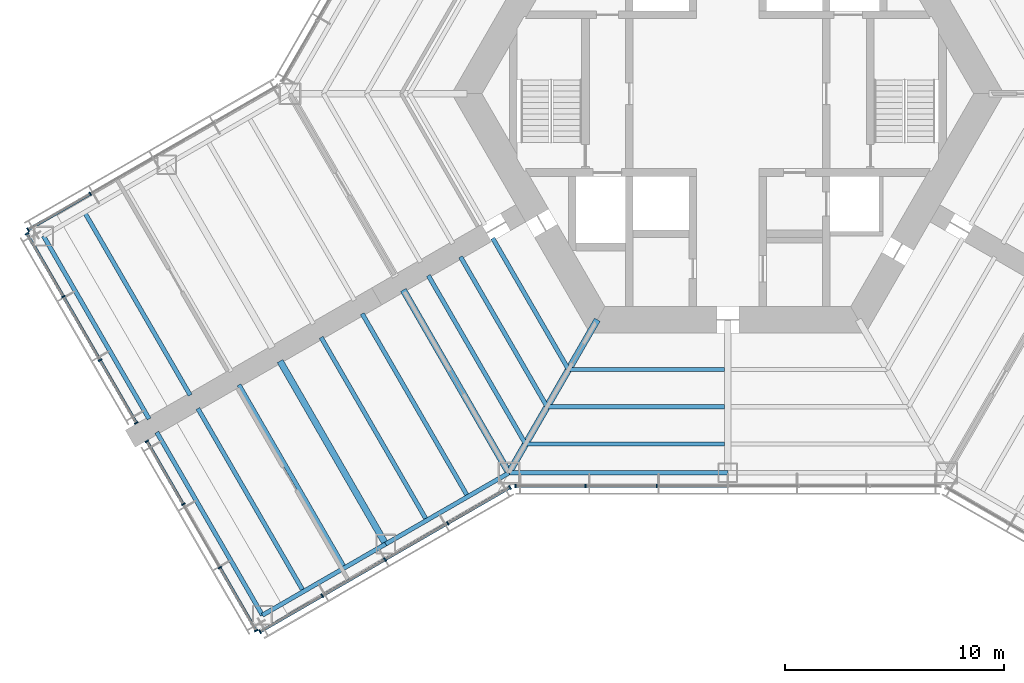
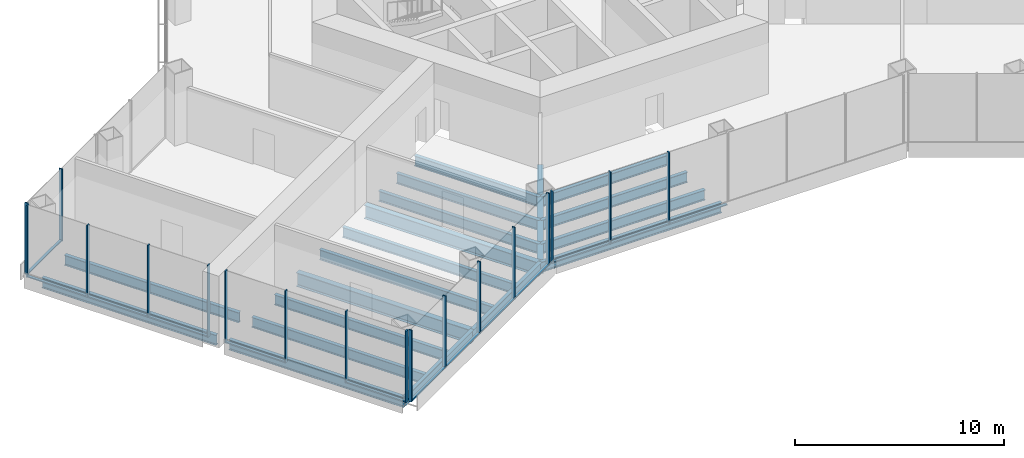
# One storey, part 2 of 16: 31 members, 19 beams, 5 elements without a shape of their own.
"""IFC4 building model written with IfcOpenShell, lengths in metres."""

from ifc_helpers import new_model, si_unit, direction, frame, origin, origin_2d, place, context, subcontext, project, spatial, rectangle, i_section, extrude, material, material_profile, profile_set, type_object, element, aggregate, save


model = new_model("IFC4")

# Units and contexts
model_context = context("Model", 3, precision=1e-05, world=origin(), true_north=direction((0.0, 1.0)))
body_context = subcontext(model_context, "Body", "Model", "MODEL_VIEW")
ifc_project = project(units=[si_unit("LENGTHUNIT", "METRE"), si_unit("AREAUNIT", "SQUARE_METRE"), si_unit("VOLUMEUNIT", "CUBIC_METRE"), si_unit("PLANEANGLEUNIT", "RADIAN"), si_unit("MASSUNIT", "GRAM", prefix="KILO")], contexts=[model_context])

# Site, building, storey
site_placement = place(None, origin())
site = spatial("IfcSite", under=ifc_project, at=site_placement, CompositionType="ELEMENT")
building_placement = place(site_placement, origin())
building = spatial("IfcBuilding", under=site, at=building_placement, Name="Kasaneha Research Tower", CompositionType="ELEMENT")
storey_placement = place(building_placement, frame((0.0, 0.0, 10.0)))
storey = spatial("IfcBuildingStorey", under=building, at=storey_placement, Name="L03", CompositionType="ELEMENT", Elevation=10.0)

# Beams
ifc_material_1 = material(Name="Steel SN490B", Category="steel")
ifc_material_profile_1 = material_profile(ifc_material_1, i_section(OverallWidth=0.199951171875, OverallDepth=0.60009765625, WebThickness=0.010986328125, FlangeThickness=0.01708984375, FilletRadius=0.012939453125, at=origin_2d()), Name="H-600x200x11x17")
ifc_profile_set_1 = profile_set([ifc_material_profile_1], Name="Steel SN490B")
beam_type_1 = type_object("IfcBeamType", Name="B1-1 secondary beam H-600x200x11x17", PredefinedType="JOIST", material=ifc_profile_set_1)
beam_1_placement = place(storey_placement, frame((-7.274658203125, -12.60009765625, -0.5), z_axis=(-0.499972710878, 0.866041158593, 0.0), x_axis=(-0.866041158593, -0.499972710878, 0.0)))
element("IfcBeam", 1, at=beam_1_placement, inside=storey, type_object=beam_type_1, Name="Secondary beam RS210R1 L03", PredefinedType="JOIST", context=body_context, shape_type="SweptSolid", body=[
    extrude(i_section(OverallWidth=0.199951171875, OverallDepth=0.60009765625, WebThickness=0.010986328125, FlangeThickness=0.01708984375, FilletRadius=0.012939453125, at=origin_2d()), origin(), (0.0, 0.0, 1.0), 6.9248046875),
])
beam_2_placement = place(storey_placement, frame((-8.256103515625, -14.300048828125, -0.5), z_axis=(-0.500004902938, 0.866022573054, 0.0), x_axis=(-0.866022573054, -0.500004902938, 0.0)))
element("IfcBeam", 2, at=beam_2_placement, inside=storey, type_object=beam_type_1, Name="Secondary beam RS210R2 L03", PredefinedType="JOIST", context=body_context, shape_type="SweptSolid", body=[
    extrude(i_section(OverallWidth=0.199951171875, OverallDepth=0.60009765625, WebThickness=0.010986328125, FlangeThickness=0.01708984375, FilletRadius=0.012939453125, at=origin_2d()), origin(), (0.0, 0.0, 1.0), 7.90625),
])
beam_3_placement = place(storey_placement, frame((-9.237548828125, -16.0, -0.5), z_axis=(-0.500009382636, 0.866019986649, 0.0), x_axis=(-0.866019986649, -0.500009382636, 0.0)))
element("IfcBeam", 3, at=beam_3_placement, inside=storey, type_object=beam_type_1, Name="Secondary beam RS210R3 L03", PredefinedType="JOIST", context=body_context, shape_type="SweptSolid", body=[
    extrude(i_section(OverallWidth=0.199951171875, OverallDepth=0.60009765625, WebThickness=0.010986328125, FlangeThickness=0.01708984375, FilletRadius=0.012939453125, at=origin_2d()), origin(), (0.0, 0.0, 1.0), 8.887451171875),
])
beam_4_placement = place(storey_placement, frame((-7.274658203125, -12.60009765625, -0.5), z_axis=(1.0, 0.0, 0.0), x_axis=(0.0, 1.0, 0.0)))
element("IfcBeam", 4, at=beam_4_placement, inside=storey, type_object=beam_type_1, Name="Secondary beam RS270L1 L03", PredefinedType="JOIST", context=body_context, shape_type="SweptSolid", body=[
    extrude(i_section(OverallWidth=0.199951171875, OverallDepth=0.60009765625, WebThickness=0.010986328125, FlangeThickness=0.01708984375, FilletRadius=0.012939453125, at=origin_2d()), origin(), (0.0, 0.0, 1.0), 7.124755859375),
])
beam_5_placement = place(storey_placement, frame((-8.256103515625, -14.300048828125, -0.5), z_axis=(1.0, 0.0, 0.0), x_axis=(0.0, 1.0, 0.0)))
element("IfcBeam", 5, at=beam_5_placement, inside=storey, type_object=beam_type_1, Name="Secondary beam RS270L2 L03", PredefinedType="JOIST", context=body_context, shape_type="SweptSolid", body=[
    extrude(i_section(OverallWidth=0.199951171875, OverallDepth=0.60009765625, WebThickness=0.010986328125, FlangeThickness=0.01708984375, FilletRadius=0.012939453125, at=origin_2d()), origin(), (0.0, 0.0, 1.0), 8.106201171875),
])
beam_6_placement = place(storey_placement, frame((-9.237548828125, -16.0, -0.5), z_axis=(1.0, 0.0, 0.0), x_axis=(0.0, 1.0, 0.0)))
element("IfcBeam", 6, at=beam_6_placement, inside=storey, type_object=beam_type_1, Name="Secondary beam RS270L3 L03", PredefinedType="JOIST", context=body_context, shape_type="SweptSolid", body=[
    extrude(i_section(OverallWidth=0.199951171875, OverallDepth=0.60009765625, WebThickness=0.010986328125, FlangeThickness=0.01708984375, FilletRadius=0.012939453125, at=origin_2d()), origin(), (0.0, 0.0, 1.0), 9.087646484375),
])
ifc_material_2 = material(Name="Steel SN490B", Category="steel")
ifc_material_profile_2 = material_profile(ifc_material_2, i_section(OverallWidth=0.198974609375, OverallDepth=0.595947265625, WebThickness=0.010009765625, FlangeThickness=0.014892578125, FilletRadius=0.012939453125, at=origin_2d()), Name="H-596x199x10x15")
ifc_profile_set_2 = profile_set([ifc_material_profile_2], Name="Steel SN490B")
beam_type_2 = type_object("IfcBeamType", Name="B2-1 secondary beam H-596x199x10x15", PredefinedType="JOIST", material=ifc_profile_set_2)
for number, where, z_axis, x_axis, name in (
    (7, (-29.3818359375, -5.416748046875, -0.498046875), (0.499994742786, -0.866028439017, 0.0), (0.866028439017, 0.499994742786, 0.0), "Secondary beam WBBP4 L03"),
    (8, (-11.87646484375, -18.40380859375, -0.498046875), (-0.499994742786, 0.866028439017, 0.0), (-0.866028439017, -0.499994742786, 0.0), "Secondary beam WBBN1 L03"),
    (9, (-13.752685546875, -19.487060546875, -0.498046875), (-0.500024672494, 0.866011158645, 0.0), (-0.866011158645, -0.500024672494, 0.0), "Secondary beam WBBN2 L03"),
    (10, (-17.505615234375, -21.65380859375, -0.498046875), (-0.499994742786, 0.866028439017, 0.0), (-0.866028439017, -0.499994742786, 0.0), "Secondary beam WBBN3 L03"),
    (11, (-19.3818359375, -22.737060546875, -0.498046875), (-0.500024672494, 0.866011158645, 0.0), (-0.866011158645, -0.500024672494, 0.0), "Secondary beam WBBN4 L03"),
):
    element("IfcBeam", number, at=place(storey_placement, frame(where, z_axis=z_axis, x_axis=x_axis)), inside=storey, type_object=beam_type_2, Name=name, PredefinedType="JOIST", context=body_context, shape_type="SweptSolid", body=[
        extrude(i_section(OverallWidth=0.198974609375, OverallDepth=0.595947265625, WebThickness=0.010009765625, FlangeThickness=0.014892578125, FilletRadius=0.012939453125, at=origin_2d()), origin(), (0.0, 0.0, 1.0), 9.64990234375),
    ])

# Curtain wall, members
ifc_material_3 = material(Name="Glass and aluminium", Category="aluminium")
curtain_wall_type = type_object("IfcCurtainWallType", Name="Wet laboratory curtain wall", PredefinedType="USERDEFINED", material=ifc_material_3)
curtain_wall_1_placement = place(storey_placement, origin())
curtain_wall_1 = element("IfcCurtainWall", 12, at=curtain_wall_1_placement, inside=storey, type_object=curtain_wall_type, Name="CW-L1 L03 run 01a", ObjectType="UNITISED CURTAIN WALL", PredefinedType="USERDEFINED")
ifc_material_4 = material(Name="Aluminium 6063-T6", Category="aluminium")
ifc_material_profile_3 = material_profile(ifc_material_4, rectangle(XDim=0.06494140625, YDim=0.179931640625, at=origin_2d()), Name="CW-L1 mullion 65x180")
ifc_profile_set_3 = profile_set([ifc_material_profile_3], Name="Aluminium 6063-T6")
member_type_1 = type_object("IfcMemberType", Name="CW-L1 mullion", PredefinedType="MULLION", material=ifc_profile_set_3)
member_1_placement = place(storey_placement, frame((-21.36328125, -24.573974609375, 0.0), z_axis=(0.0, 0.0, 1.0), x_axis=(0.866025411464, 0.499999986699, 0.0)))
member_1 = element("IfcMember", 13, at=member_1_placement, type_object=member_type_1, Name="CW-L1 mullion 1", PredefinedType="MULLION", context=body_context, shape_type="SweptSolid", body=[
    extrude(rectangle(XDim=0.06494140625, YDim=0.179931640625, at=origin_2d()), origin(), (0.0, 0.0, 1.0), 4.199951171875),
])
member_2_placement = place(storey_placement, frame((-18.52490234375, -22.935302734375, 0.0), z_axis=(0.0, 0.0, 1.0), x_axis=(0.866025411464, 0.499999986699, 0.0)))
member_2 = element("IfcMember", 14, at=member_2_placement, type_object=member_type_1, Name="CW-L1 mullion 2", PredefinedType="MULLION", context=body_context, shape_type="SweptSolid", body=[
    extrude(rectangle(XDim=0.06494140625, YDim=0.179931640625, at=origin_2d()), origin(), (0.0, 0.0, 1.0), 4.199951171875),
])
member_3_placement = place(storey_placement, frame((-15.65869140625, -21.2802734375, 0.0), z_axis=(0.0, 0.0, 1.0), x_axis=(0.866025411464, 0.499999986699, 0.0)))
member_3 = element("IfcMember", 15, at=member_3_placement, type_object=member_type_1, Name="CW-L1 mullion 3", PredefinedType="MULLION", context=body_context, shape_type="SweptSolid", body=[
    extrude(rectangle(XDim=0.06494140625, YDim=0.179931640625, at=origin_2d()), origin(), (0.0, 0.0, 1.0), 4.199951171875),
])
member_4_placement = place(storey_placement, frame((-12.792236328125, -19.62548828125, 0.0), z_axis=(0.0, 0.0, 1.0), x_axis=(0.866025411464, 0.499999986699, 0.0)))
member_4 = element("IfcMember", 16, at=member_4_placement, type_object=member_type_1, Name="CW-L1 mullion 4", PredefinedType="MULLION", context=body_context, shape_type="SweptSolid", body=[
    extrude(rectangle(XDim=0.06494140625, YDim=0.179931640625, at=origin_2d()), origin(), (0.0, 0.0, 1.0), 4.199951171875),
])
member_5_placement = place(storey_placement, frame((-9.953857421875, -17.98681640625, 0.0), z_axis=(0.0, 0.0, 1.0), x_axis=(0.866025411464, 0.499999986699, 0.0)))
member_5 = element("IfcMember", 17, at=member_5_placement, type_object=member_type_1, Name="CW-L1 mullion 5", PredefinedType="MULLION", context=body_context, shape_type="SweptSolid", body=[
    extrude(rectangle(XDim=0.06494140625, YDim=0.179931640625, at=origin_2d()), origin(), (0.0, 0.0, 1.0), 4.199951171875),
])

curtain_wall_2_placement = place(storey_placement, origin())
curtain_wall_2 = element("IfcCurtainWall", 18, at=curtain_wall_2_placement, inside=storey, type_object=curtain_wall_type, Name="CW-L1 L03 run 02a", ObjectType="UNITISED CURTAIN WALL", PredefinedType="USERDEFINED")
member_6_placement = place(storey_placement, frame((-9.706787109375, -17.92041015625, 0.0), z_axis=(0.0, 0.0, 1.0), x_axis=(1.0, 0.0, 0.0)))
member_6 = element("IfcMember", 19, at=member_6_placement, type_object=member_type_1, Name="CW-L1 mullion 1", PredefinedType="MULLION", context=body_context, shape_type="SweptSolid", body=[
    extrude(rectangle(XDim=0.06494140625, YDim=0.179931640625, at=origin_2d()), origin(), (0.0, 0.0, 1.0), 4.199951171875),
])
member_7_placement = place(storey_placement, frame((-6.492919921875, -17.92041015625, 0.0), z_axis=(0.0, 0.0, 1.0), x_axis=(1.0, 0.0, 0.0)))
member_7 = element("IfcMember", 20, at=member_7_placement, type_object=member_type_1, Name="CW-L1 mullion 2", PredefinedType="MULLION", context=body_context, shape_type="SweptSolid", body=[
    extrude(rectangle(XDim=0.06494140625, YDim=0.179931640625, at=origin_2d()), origin(), (0.0, 0.0, 1.0), 4.199951171875),
])
member_8_placement = place(storey_placement, frame((-3.246337890625, -17.92041015625, 0.0), z_axis=(0.0, 0.0, 1.0), x_axis=(1.0, 0.0, 0.0)))
member_8 = element("IfcMember", 21, at=member_8_placement, type_object=member_type_1, Name="CW-L1 mullion 3", PredefinedType="MULLION", context=body_context, shape_type="SweptSolid", body=[
    extrude(rectangle(XDim=0.06494140625, YDim=0.179931640625, at=origin_2d()), origin(), (0.0, 0.0, 1.0), 4.199951171875),
])

curtain_wall_3_placement = place(storey_placement, origin())
curtain_wall_3 = element("IfcCurtainWall", 22, at=curtain_wall_3_placement, inside=storey, type_object=curtain_wall_type, Name="CW-L1 L03 run 13a", ObjectType="UNITISED CURTAIN WALL", PredefinedType="USERDEFINED")
member_9_placement = place(storey_placement, frame((-29.125, -4.575439453125, 0.0), z_axis=(0.0, 0.0, 1.0), x_axis=(-0.866025411464, -0.499999986699, 0.0)))
member_9 = element("IfcMember", 23, at=member_9_placement, type_object=member_type_1, Name="CW-L1 mullion 4", PredefinedType="MULLION", context=body_context, shape_type="SweptSolid", body=[
    extrude(rectangle(XDim=0.06494140625, YDim=0.179931640625, at=origin_2d()), origin(), (0.0, 0.0, 1.0), 4.199951171875),
])
member_10_placement = place(storey_placement, frame((-31.963134765625, -6.214111328125, 0.0), z_axis=(0.0, 0.0, 1.0), x_axis=(-0.866025411464, -0.499999986699, 0.0)))
member_10 = element("IfcMember", 24, at=member_10_placement, type_object=member_type_1, Name="CW-L1 mullion 5", PredefinedType="MULLION", context=body_context, shape_type="SweptSolid", body=[
    extrude(rectangle(XDim=0.06494140625, YDim=0.179931640625, at=origin_2d()), origin(), (0.0, 0.0, 1.0), 4.199951171875),
])

curtain_wall_4_placement = place(storey_placement, origin())
curtain_wall_4 = element("IfcCurtainWall", 25, at=curtain_wall_4_placement, inside=storey, type_object=curtain_wall_type, Name="CW-L1 L03 run 14a", ObjectType="UNITISED CURTAIN WALL", PredefinedType="USERDEFINED")
member_11_placement = place(storey_placement, frame((-32.01171875, -6.39501953125, 0.0), z_axis=(0.0, 0.0, 1.0), x_axis=(0.500000011442, -0.866025397178, 0.0)))
member_11 = element("IfcMember", 26, at=member_11_placement, type_object=member_type_1, Name="CW-L1 mullion 1", PredefinedType="MULLION", context=body_context, shape_type="SweptSolid", body=[
    extrude(rectangle(XDim=0.06494140625, YDim=0.179931640625, at=origin_2d()), origin(), (0.0, 0.0, 1.0), 4.199951171875),
])
member_12_placement = place(storey_placement, frame((-30.35302734375, -9.26806640625, 0.0), z_axis=(0.0, 0.0, 1.0), x_axis=(0.500000011442, -0.866025397178, 0.0)))
member_12 = element("IfcMember", 27, at=member_12_placement, type_object=member_type_1, Name="CW-L1 mullion 2", PredefinedType="MULLION", context=body_context, shape_type="SweptSolid", body=[
    extrude(rectangle(XDim=0.06494140625, YDim=0.179931640625, at=origin_2d()), origin(), (0.0, 0.0, 1.0), 4.199951171875),
])
member_13_placement = place(storey_placement, frame((-28.677978515625, -12.16943359375, 0.0), z_axis=(0.0, 0.0, 1.0), x_axis=(0.500000011442, -0.866025397178, 0.0)))
member_13 = element("IfcMember", 28, at=member_13_placement, type_object=member_type_1, Name="CW-L1 mullion 3", PredefinedType="MULLION", context=body_context, shape_type="SweptSolid", body=[
    extrude(rectangle(XDim=0.06494140625, YDim=0.179931640625, at=origin_2d()), origin(), (0.0, 0.0, 1.0), 4.199951171875),
])
member_14_placement = place(storey_placement, frame((-27.019287109375, -15.04248046875, 0.0), z_axis=(0.0, 0.0, 1.0), x_axis=(0.500000011442, -0.866025397178, 0.0)))
member_14 = element("IfcMember", 29, at=member_14_placement, type_object=member_type_1, Name="CW-L1 mullion 4", PredefinedType="MULLION", context=body_context, shape_type="SweptSolid", body=[
    extrude(rectangle(XDim=0.06494140625, YDim=0.179931640625, at=origin_2d()), origin(), (0.0, 0.0, 1.0), 4.199951171875),
])

curtain_wall_5_placement = place(storey_placement, origin())
curtain_wall_5 = element("IfcCurtainWall", 30, at=curtain_wall_5_placement, inside=storey, type_object=curtain_wall_type, Name="CW-L1 L03 run 15a", ObjectType="UNITISED CURTAIN WALL", PredefinedType="USERDEFINED")
member_15_placement = place(storey_placement, frame((-26.53662109375, -15.878173828125, 0.0), z_axis=(0.0, 0.0, 1.0), x_axis=(0.500000011442, -0.866025397178, 0.0)))
member_15 = element("IfcMember", 31, at=member_15_placement, type_object=member_type_1, Name="CW-L1 mullion 1", PredefinedType="MULLION", context=body_context, shape_type="SweptSolid", body=[
    extrude(rectangle(XDim=0.06494140625, YDim=0.179931640625, at=origin_2d()), origin(), (0.0, 0.0, 1.0), 4.199951171875),
])
member_16_placement = place(storey_placement, frame((-24.8779296875, -18.751220703125, 0.0), z_axis=(0.0, 0.0, 1.0), x_axis=(0.500000011442, -0.866025397178, 0.0)))
member_16 = element("IfcMember", 32, at=member_16_placement, type_object=member_type_1, Name="CW-L1 mullion 2", PredefinedType="MULLION", context=body_context, shape_type="SweptSolid", body=[
    extrude(rectangle(XDim=0.06494140625, YDim=0.179931640625, at=origin_2d()), origin(), (0.0, 0.0, 1.0), 4.199951171875),
])
member_17_placement = place(storey_placement, frame((-23.202880859375, -21.65234375, 0.0), z_axis=(0.0, 0.0, 1.0), x_axis=(0.500000011442, -0.866025397178, 0.0)))
member_17 = element("IfcMember", 33, at=member_17_placement, type_object=member_type_1, Name="CW-L1 mullion 3", PredefinedType="MULLION", context=body_context, shape_type="SweptSolid", body=[
    extrude(rectangle(XDim=0.06494140625, YDim=0.179931640625, at=origin_2d()), origin(), (0.0, 0.0, 1.0), 4.199951171875),
])
member_18_placement = place(storey_placement, frame((-21.544189453125, -24.525390625, 0.0), z_axis=(0.0, 0.0, 1.0), x_axis=(0.500000011442, -0.866025397178, 0.0)))
member_18 = element("IfcMember", 34, at=member_18_placement, type_object=member_type_1, Name="CW-L1 mullion 4", PredefinedType="MULLION", context=body_context, shape_type="SweptSolid", body=[
    extrude(rectangle(XDim=0.06494140625, YDim=0.179931640625, at=origin_2d()), origin(), (0.0, 0.0, 1.0), 4.199951171875),
])

# Member
ifc_material_5 = material(Name="Aluminium 6063-T6", Category="aluminium")
ifc_material_profile_4 = material_profile(ifc_material_5, rectangle(XDim=0.139892578125, YDim=0.06494140625, at=origin_2d()), Name="CW-L1 transom 140x65")
ifc_profile_set_4 = profile_set([ifc_material_profile_4], Name="Aluminium 6063-T6")
member_type_2 = type_object("IfcMemberType", Name="CW-L1 transom", PredefinedType="USERDEFINED", material=ifc_profile_set_4)
member_19_placement = place(storey_placement, frame((-21.3349609375, -24.5576171875, 0.032470703125), z_axis=(0.86600331843, 0.500038251005, 0.0), x_axis=(-0.500038251005, 0.86600331843, 0.0)))
member_19 = element("IfcMember", 35, at=member_19_placement, type_object=member_type_2, Name="CW-L1 transom 1", ObjectType="TRANSOM", PredefinedType="USERDEFINED", context=body_context, shape_type="SweptSolid", body=[
    extrude(rectangle(XDim=0.139892578125, YDim=0.06494140625, at=origin_2d()), origin(), (0.0, 0.0, 1.0), 3.212158203125),
])

member_20_placement = place(storey_placement, frame((-18.496826171875, -22.9189453125, 0.032470703125), z_axis=(0.866035229914, 0.499982980259, 0.0), x_axis=(-0.499982980259, 0.866035229914, 0.0)))
member_20 = element("IfcMember", 36, at=member_20_placement, type_object=member_type_2, Name="CW-L1 transom 2", ObjectType="TRANSOM", PredefinedType="USERDEFINED", context=body_context, shape_type="SweptSolid", body=[
    extrude(rectangle(XDim=0.139892578125, YDim=0.06494140625, at=origin_2d()), origin(), (0.0, 0.0, 1.0), 3.24462890625),
])

member_21_placement = place(storey_placement, frame((-15.63037109375, -21.26416015625, 0.032470703125), z_axis=(0.866002649306, 0.500039409842, 0.0), x_axis=(-0.500039409842, 0.866002649306, 0.0)))
member_21 = element("IfcMember", 37, at=member_21_placement, type_object=member_type_2, Name="CW-L1 transom 3", ObjectType="TRANSOM", PredefinedType="USERDEFINED", context=body_context, shape_type="SweptSolid", body=[
    extrude(rectangle(XDim=0.139892578125, YDim=0.06494140625, at=origin_2d()), origin(), (0.0, 0.0, 1.0), 3.244873046875),
])

member_22_placement = place(storey_placement, frame((-12.76416015625, -19.609130859375, 0.032470703125), z_axis=(0.866022320763, 0.500005339912, 0.0), x_axis=(-0.500005339912, 0.866022320763, 0.0)))
member_22 = element("IfcMember", 38, at=member_22_placement, type_object=member_type_2, Name="CW-L1 transom 4", ObjectType="TRANSOM", PredefinedType="USERDEFINED", context=body_context, shape_type="SweptSolid", body=[
    extrude(rectangle(XDim=0.139892578125, YDim=0.06494140625, at=origin_2d()), origin(), (0.0, 0.0, 1.0), 3.21240234375),
])

aggregate(curtain_wall_1, [member_1, member_2, member_3, member_4, member_5, member_19, member_20, member_21, member_22])

member_23_placement = place(storey_placement, frame((-9.67431640625, -17.92041015625, 0.032470703125), z_axis=(1.0, 0.0, 0.0), x_axis=(0.0, 1.0, 0.0)))
member_23 = element("IfcMember", 39, at=member_23_placement, type_object=member_type_2, Name="CW-L1 transom 1", ObjectType="TRANSOM", PredefinedType="USERDEFINED", context=body_context, shape_type="SweptSolid", body=[
    extrude(rectangle(XDim=0.139892578125, YDim=0.06494140625, at=origin_2d()), origin(), (0.0, 0.0, 1.0), 3.14892578125),
])

member_24_placement = place(storey_placement, frame((-6.460205078125, -17.92041015625, 0.032470703125), z_axis=(1.0, 0.0, 0.0), x_axis=(0.0, 1.0, 0.0)))
member_24 = element("IfcMember", 40, at=member_24_placement, type_object=member_type_2, Name="CW-L1 transom 2", ObjectType="TRANSOM", PredefinedType="USERDEFINED", context=body_context, shape_type="SweptSolid", body=[
    extrude(rectangle(XDim=0.139892578125, YDim=0.06494140625, at=origin_2d()), origin(), (0.0, 0.0, 1.0), 3.181396484375),
])

member_25_placement = place(storey_placement, frame((-3.2138671875, -17.92041015625, 0.032470703125), z_axis=(1.0, 0.0, 0.0), x_axis=(0.0, 1.0, 0.0)))
member_25 = element("IfcMember", 41, at=member_25_placement, type_object=member_type_2, Name="CW-L1 transom 3", ObjectType="TRANSOM", PredefinedType="USERDEFINED", context=body_context, shape_type="SweptSolid", body=[
    extrude(rectangle(XDim=0.139892578125, YDim=0.06494140625, at=origin_2d()), origin(), (0.0, 0.0, 1.0), 3.181396484375),
])

aggregate(curtain_wall_2, [member_6, member_7, member_8, member_23, member_24, member_25])

member_26_placement = place(storey_placement, frame((-29.153076171875, -4.591796875, 0.032470703125), z_axis=(-0.866022320763, -0.500005339912, 0.0), x_axis=(0.500005339912, -0.866022320763, 0.0)))
member_26 = element("IfcMember", 42, at=member_26_placement, type_object=member_type_2, Name="CW-L1 transom 4", ObjectType="TRANSOM", PredefinedType="USERDEFINED", context=body_context, shape_type="SweptSolid", body=[
    extrude(rectangle(XDim=0.139892578125, YDim=0.06494140625, at=origin_2d()), origin(), (0.0, 0.0, 1.0), 3.21240234375),
])

aggregate(curtain_wall_3, [member_9, member_10, member_26])

member_27_placement = place(storey_placement, frame((-31.995361328125, -6.42333984375, 0.032470703125), z_axis=(0.500006189695, -0.866021830133, 0.0), x_axis=(0.866021830133, 0.500006189695, 0.0)))
member_27 = element("IfcMember", 43, at=member_27_placement, type_object=member_type_2, Name="CW-L1 transom 1", ObjectType="TRANSOM", PredefinedType="USERDEFINED", context=body_context, shape_type="SweptSolid", body=[
    extrude(rectangle(XDim=0.139892578125, YDim=0.06494140625, at=origin_2d()), origin(), (0.0, 0.0, 1.0), 3.25244140625),
])

member_28_placement = place(storey_placement, frame((-30.336669921875, -9.29638671875, 0.032470703125), z_axis=(0.500039835994, -0.866002403241, 0.0), x_axis=(0.866002403241, 0.500039835994, 0.0)))
member_28 = element("IfcMember", 44, at=member_28_placement, type_object=member_type_2, Name="CW-L1 transom 2", ObjectType="TRANSOM", PredefinedType="USERDEFINED", context=body_context, shape_type="SweptSolid", body=[
    extrude(rectangle(XDim=0.139892578125, YDim=0.06494140625, at=origin_2d()), origin(), (0.0, 0.0, 1.0), 3.284912109375),
])

member_29_placement = place(storey_placement, frame((-28.66162109375, -12.197509765625, 0.032470703125), z_axis=(0.500006189695, -0.866021830133, 0.0), x_axis=(0.866021830133, 0.500006189695, 0.0)))
member_29 = element("IfcMember", 45, at=member_29_placement, type_object=member_type_2, Name="CW-L1 transom 3", ObjectType="TRANSOM", PredefinedType="USERDEFINED", context=body_context, shape_type="SweptSolid", body=[
    extrude(rectangle(XDim=0.139892578125, YDim=0.06494140625, at=origin_2d()), origin(), (0.0, 0.0, 1.0), 3.25244140625),
])

aggregate(curtain_wall_4, [member_11, member_12, member_13, member_14, member_27, member_28, member_29])

member_30_placement = place(storey_placement, frame((-26.5205078125, -15.90625, 0.032470703125), z_axis=(0.500006189695, -0.866021830133, 0.0), x_axis=(0.866021830133, 0.500006189695, 0.0)))
member_30 = element("IfcMember", 46, at=member_30_placement, type_object=member_type_2, Name="CW-L1 transom 1", ObjectType="TRANSOM", PredefinedType="USERDEFINED", context=body_context, shape_type="SweptSolid", body=[
    extrude(rectangle(XDim=0.139892578125, YDim=0.06494140625, at=origin_2d()), origin(), (0.0, 0.0, 1.0), 3.25244140625),
])

member_31_placement = place(storey_placement, frame((-23.186767578125, -21.680419921875, 0.032470703125), z_axis=(0.499973687205, -0.866040594951, 0.0), x_axis=(0.866040594951, 0.499973687205, 0.0)))
member_31 = element("IfcMember", 47, at=member_31_placement, type_object=member_type_2, Name="CW-L1 transom 3", ObjectType="TRANSOM", PredefinedType="USERDEFINED", context=body_context, shape_type="SweptSolid", body=[
    extrude(rectangle(XDim=0.139892578125, YDim=0.06494140625, at=origin_2d()), origin(), (0.0, 0.0, 1.0), 3.252685546875),
])

aggregate(curtain_wall_5, [member_15, member_16, member_17, member_18, member_30, member_31])

# Beams
ifc_material_6 = material(Name="Steel SN490B", Category="steel")
ifc_material_profile_5 = material_profile(ifc_material_6, i_section(OverallWidth=0.300048828125, OverallDepth=0.699951171875, WebThickness=0.012939453125, FlangeThickness=0.02392578125, FilletRadius=0.01806640625, at=origin_2d()), Name="H-700x300x13x24")
ifc_profile_set_5 = profile_set([ifc_material_profile_5], Name="Steel SN490B")
beam_type_3 = type_object("IfcBeamType", Name="G1-1 radial girder H-700x300x13x24", PredefinedType="BEAM", material=ifc_profile_set_5)
beam_7_placement = place(storey_placement, frame((-5.961181640625, -10.324951171875, -0.550048828125), z_axis=(-0.49999105496, -0.866030568144, 0.0), x_axis=(0.866030568144, -0.49999105496, 0.0)))
element("IfcBeam", 48, at=beam_7_placement, inside=storey, type_object=beam_type_3, Name="Radial girder RV240 L03", PredefinedType="BEAM", context=body_context, shape_type="SweptSolid", body=[
    extrude(i_section(OverallWidth=0.300048828125, OverallDepth=0.699951171875, WebThickness=0.012939453125, FlangeThickness=0.02392578125, FilletRadius=0.01806640625, at=origin_2d()), origin(), (0.0, 0.0, 1.0), 8.077880859375),
])
ifc_material_7 = material(Name="Steel SN490B", Category="steel")
ifc_material_profile_6 = material_profile(ifc_material_7, i_section(OverallWidth=0.300048828125, OverallDepth=0.7919921875, WebThickness=0.013916015625, FlangeThickness=0.02197265625, FilletRadius=0.01806640625, at=origin_2d()), Name="H-792x300x14x22")
ifc_profile_set_6 = profile_set([ifc_material_profile_6], Name="Steel SN490B")
beam_type_4 = type_object("IfcBeamType", Name="G3-1 plate edge girder H-792x300x14x22", PredefinedType="BEAM", material=ifc_profile_set_6)
beam_8_placement = place(storey_placement, frame((-10.0, -17.320556640625, -0.595947265625), z_axis=(-0.499994742786, 0.866028439017, 0.0), x_axis=(-0.866028439017, -0.499994742786, 0.0)))
element("IfcBeam", 49, at=beam_8_placement, inside=storey, type_object=beam_type_4, Name="Plate edge girder PEBN L03", PredefinedType="BEAM", context=body_context, shape_type="SweptSolid", body=[
    extrude(i_section(OverallWidth=0.300048828125, OverallDepth=0.7919921875, WebThickness=0.013916015625, FlangeThickness=0.02197265625, FilletRadius=0.01806640625, at=origin_2d()), origin(), (0.0, 0.0, 1.0), 9.64990234375),
])
ifc_material_8 = material(Name="Steel SN490B", Category="steel")
ifc_material_profile_7 = material_profile(ifc_material_8, i_section(OverallWidth=0.300048828125, OverallDepth=0.800048828125, WebThickness=0.013916015625, FlangeThickness=0.02587890625, FilletRadius=0.01806640625, at=origin_2d()), Name="H-800x300x14x26")
ifc_profile_set_7 = profile_set([ifc_material_profile_7], Name="Steel SN490B")
beam_type_5 = type_object("IfcBeamType", Name="G4-1 wing girder H-800x300x14x26", PredefinedType="BEAM", material=ifc_profile_set_7)
beam_9_placement = place(storey_placement, frame((-15.629150390625, -20.570556640625, -0.60009765625), z_axis=(-0.499994742786, 0.866028439017, 0.0), x_axis=(-0.866028439017, -0.499994742786, 0.0)))
element("IfcBeam", 50, at=beam_9_placement, inside=storey, type_object=beam_type_5, Name="Wing girder WGBN L03", PredefinedType="BEAM", context=body_context, shape_type="SweptSolid", body=[
    extrude(i_section(OverallWidth=0.300048828125, OverallDepth=0.800048828125, WebThickness=0.013916015625, FlangeThickness=0.02587890625, FilletRadius=0.01806640625, at=origin_2d()), origin(), (0.0, 0.0, 1.0), 9.64990234375),
])
ifc_material_9 = material(Name="Steel SN490B", Category="steel")
ifc_material_profile_8 = material_profile(ifc_material_9, i_section(OverallWidth=0.199951171875, OverallDepth=0.60009765625, WebThickness=0.010986328125, FlangeThickness=0.01708984375, FilletRadius=0.012939453125, at=origin_2d()), Name="H-600x200x11x17")
ifc_profile_set_8 = profile_set([ifc_material_profile_8], Name="Steel SN490B")
beam_type_6 = type_object("IfcBeamType", Name="SB1-1 spandrel beam H-600x200x11x17", PredefinedType="SPANDREL", material=ifc_profile_set_8)
beam_10_placement = place(storey_placement, frame((-10.0, -17.320556640625, -0.5), z_axis=(1.0, 0.0, 0.0), x_axis=(0.0, 1.0, 0.0)))
element("IfcBeam", 51, at=beam_10_placement, inside=storey, type_object=beam_type_6, Name="Spandrel beam SR270L L03", PredefinedType="SPANDREL", context=body_context, shape_type="SweptSolid", body=[
    extrude(i_section(OverallWidth=0.199951171875, OverallDepth=0.60009765625, WebThickness=0.010986328125, FlangeThickness=0.01708984375, FilletRadius=0.012939453125, at=origin_2d()), origin(), (0.0, 0.0, 1.0), 10.0),
])
ifc_material_10 = material(Name="Steel SN490B", Category="steel")
ifc_material_profile_9 = material_profile(ifc_material_10, i_section(OverallWidth=0.199951171875, OverallDepth=0.5, WebThickness=0.010009765625, FlangeThickness=0.01611328125, FilletRadius=0.012939453125, at=origin_2d()), Name="H-500x200x10x16")
ifc_profile_set_9 = profile_set([ifc_material_profile_9], Name="Steel SN490B")
beam_type_7 = type_object("IfcBeamType", Name="SB2-1 spandrel beam H-500x200x10x16", PredefinedType="SPANDREL", material=ifc_profile_set_9)
for number, where, z_axis, x_axis, name in (
    (52, (-10.0, -17.320556640625, -0.449951171875), (-0.866024837091, -0.50000098154, 0.0), (0.50000098154, -0.866024837091, 0.0), "Spandrel beam WSBN1 L03"),
    (53, (-15.629150390625, -20.570556640625, -0.449951171875), (-0.866024837091, -0.50000098154, 0.0), (0.50000098154, -0.866024837091, 0.0), "Spandrel beam WSBN2 L03"),
):
    element("IfcBeam", number, at=place(storey_placement, frame(where, z_axis=z_axis, x_axis=x_axis)), inside=storey, type_object=beam_type_7, Name=name, PredefinedType="SPANDREL", context=body_context, shape_type="SweptSolid", body=[
        extrude(i_section(OverallWidth=0.199951171875, OverallDepth=0.5, WebThickness=0.010009765625, FlangeThickness=0.01611328125, FilletRadius=0.012939453125, at=origin_2d()), origin(), (0.0, 0.0, 1.0), 6.5),
    ])
ifc_material_11 = material(Name="Steel SN490B", Category="steel")
ifc_material_profile_10 = material_profile(ifc_material_11, i_section(OverallWidth=0.199951171875, OverallDepth=0.60009765625, WebThickness=0.010986328125, FlangeThickness=0.01708984375, FilletRadius=0.012939453125, at=origin_2d()), Name="H-600x200x11x17")
ifc_profile_set_10 = profile_set([ifc_material_profile_10], Name="Steel SN490B")
beam_type_8 = type_object("IfcBeamType", Name="SB3-1 spandrel beam H-600x200x11x17", PredefinedType="SPANDREL", material=ifc_profile_set_10)
for number, where, z_axis, x_axis, name in (
    (54, (-31.25830078125, -6.5, -0.5), (0.499994742786, -0.866028439017, 0.0), (0.866028439017, 0.499994742786, 0.0), "Spandrel beam WTBP L03"),
    (55, (-21.25830078125, -23.820556640625, -0.5), (-0.499994742786, 0.866028439017, 0.0), (-0.866028439017, -0.499994742786, 0.0), "Spandrel beam WTBN L03"),
):
    element("IfcBeam", number, at=place(storey_placement, frame(where, z_axis=z_axis, x_axis=x_axis)), inside=storey, type_object=beam_type_8, Name=name, PredefinedType="SPANDREL", context=body_context, shape_type="SweptSolid", body=[
        extrude(i_section(OverallWidth=0.199951171875, OverallDepth=0.60009765625, WebThickness=0.010986328125, FlangeThickness=0.01708984375, FilletRadius=0.012939453125, at=origin_2d()), origin(), (0.0, 0.0, 1.0), 9.64990234375),
    ])

save(model, "model.ifc")
